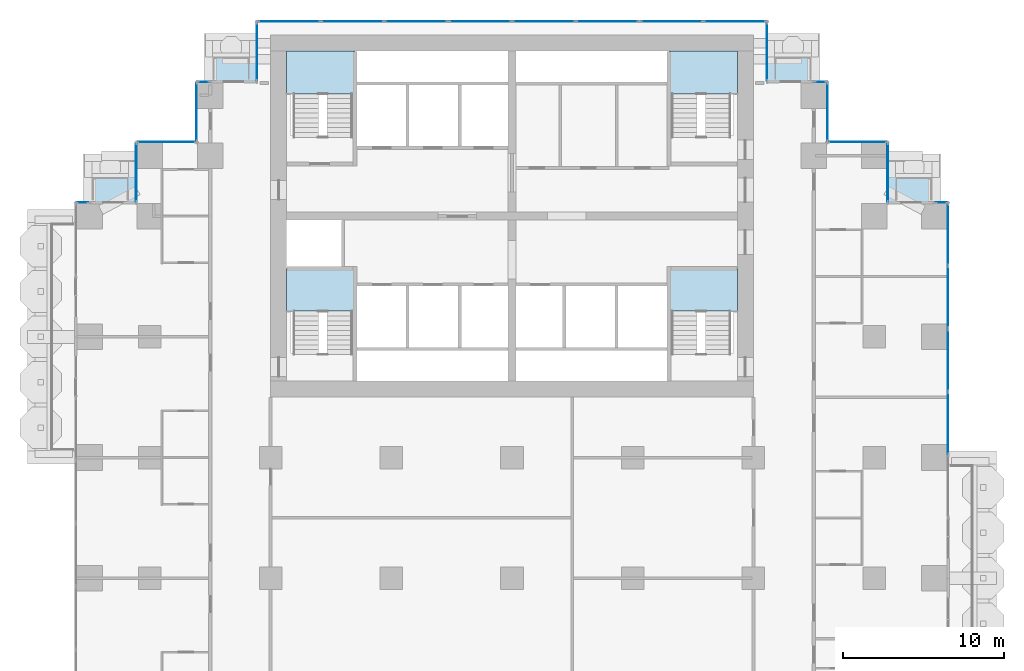
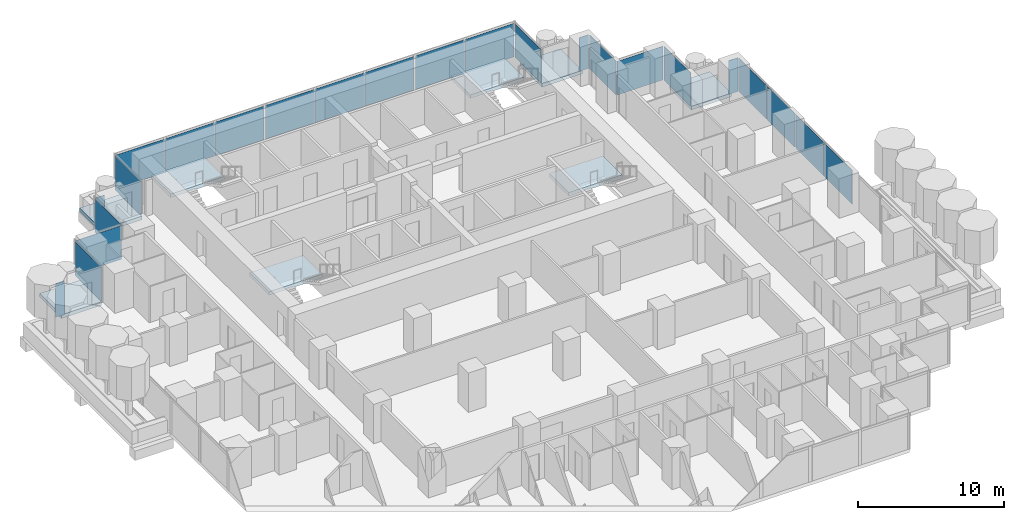
# One storey, part 8 of 17: 24 plates, 8 slabs, 21 elements without a shape of their own.
"""IFC4 building model written with IfcOpenShell, lengths in metres."""

from ifc_helpers import new_model, si_unit, direction, frame, origin, origin_2d, place, context, subcontext, project, spatial, polyline, rectangle, outline, extrude, material, layer, layer_set, type_object, element, aggregate, save


model = new_model("IFC4")

# Units and contexts
model_context = context("Model", 3, precision=1e-05, world=origin(), true_north=direction((0.0, 1.0)))
body_context = subcontext(model_context, "Body", "Model", "MODEL_VIEW")
ifc_project = project(units=[si_unit("LENGTHUNIT", "METRE"), si_unit("AREAUNIT", "SQUARE_METRE"), si_unit("VOLUMEUNIT", "CUBIC_METRE"), si_unit("PLANEANGLEUNIT", "RADIAN"), si_unit("MASSUNIT", "GRAM", prefix="KILO")], contexts=[model_context])

# Site, building, storey
site_placement = place(None, origin())
site = spatial("IfcSite", under=ifc_project, at=site_placement, CompositionType="ELEMENT")
building_placement = place(site_placement, origin())
building = spatial("IfcBuilding", under=site, at=building_placement, Name="Pilkhan Gate Tower", CompositionType="ELEMENT")
storey_placement = place(building_placement, frame((0.0, 0.0, 49.39990234375)))
storey = spatial("IfcBuildingStorey", under=building, at=storey_placement, Name="L09", CompositionType="ELEMENT", Elevation=49.39990234375)

# Slabs
ifc_material_1 = material(Name="Concrete C60/75", Category="concrete")
ifc_layer_1 = layer(ifc_material_1, 0.300048828125)
ifc_layer_set_1 = layer_set([ifc_layer_1], Name="Balcony tray slab TR300")
slab_type_1 = type_object("IfcSlabType", Name="Balcony tray slab TR300", PredefinedType="FLOOR", material=ifc_layer_set_1)
slab_1_placement = place(storey_placement, frame((0.0, 0.0, -0.2998046875)))
element("IfcSlab", 1, at=slab_1_placement, inside=storey, type_object=slab_type_1, Name="Balcony tray L09 N", PredefinedType="FLOOR", context=body_context, shape_type="SweptSolid", body=[
    extrude(outline(polyline([(59.14990234375, 90.85009765625), (59.14990234375, 93.85009765625), (55.949951171875, 93.85009765625), (55.949951171875, 90.85009765625), (59.14990234375, 90.85009765625)])), origin(), (0.0, 0.0, 1.0), 0.2998046875),
])
slab_2_placement = place(storey_placement, frame((0.0, 0.0, -0.2998046875)))
element("IfcSlab", 2, at=slab_2_placement, inside=storey, type_object=slab_type_1, Name="Balcony tray L09 N", PredefinedType="FLOOR", context=body_context, shape_type="SweptSolid", body=[
    extrude(outline(polyline([(94.050048828125, 90.85009765625), (94.050048828125, 93.85009765625), (90.85009765625, 93.85009765625), (90.85009765625, 90.85009765625), (94.050048828125, 90.85009765625)])), origin(), (0.0, 0.0, 1.0), 0.2998046875),
])
slab_3_placement = place(storey_placement, frame((0.0, 0.0, -0.2998046875)))
element("IfcSlab", 3, at=slab_3_placement, inside=storey, type_object=slab_type_1, Name="Balcony tray L09 N", PredefinedType="FLOOR", context=body_context, shape_type="SweptSolid", body=[
    extrude(outline(polyline([(51.6298828125, 83.3701171875), (51.6298828125, 86.35009765625), (48.449951171875, 86.35009765625), (48.449951171875, 83.3701171875), (51.6298828125, 83.3701171875)])), origin(), (0.0, 0.0, 1.0), 0.2998046875),
])
slab_4_placement = place(storey_placement, frame((0.0, 0.0, -0.2998046875)))
element("IfcSlab", 4, at=slab_4_placement, inside=storey, type_object=slab_type_1, Name="Balcony tray L09 N", PredefinedType="FLOOR", context=body_context, shape_type="SweptSolid", body=[
    extrude(outline(polyline([(101.550048828125, 83.3701171875), (101.550048828125, 86.35009765625), (98.3701171875, 86.35009765625), (98.3701171875, 83.3701171875), (101.550048828125, 83.3701171875)])), origin(), (0.0, 0.0, 1.0), 0.2998046875),
])

# Curtain wall, plates
ifc_material_2 = material(Name="Pale anodised aluminium, clear low-iron double glazing", Category="aluminium")
curtain_wall_type = type_object("IfcCurtainWallType", Name="Hotel unitised curtain wall CW-H", PredefinedType="USERDEFINED", material=ifc_material_2)
curtain_wall_1_placement = place(storey_placement, origin())
curtain_wall_1 = element("IfcCurtainWall", 5, at=curtain_wall_1_placement, inside=storey, type_object=curtain_wall_type, Name="Hotel unitised curtain wall CW-H L09 E", ObjectType="UNITISED CURTAIN WALL", PredefinedType="USERDEFINED")
ifc_material_3 = material(Name="Clear low-iron double glazing", Category="glass")
ifc_layer_2 = layer(ifc_material_3, 0.035888671875)
ifc_layer_set_2 = layer_set([ifc_layer_2], Name="Glass panel CW-H 36")
plate_type = type_object("IfcPlateType", Name="Glass panel CW-H 36", PredefinedType="CURTAIN_PANEL", material=ifc_layer_set_2)
plate_1_placement = place(storey_placement, frame((102.094970703125, 69.62841796875, 0.0), z_axis=(0.0, 0.0, 1.0), x_axis=(0.0, 1.0, 0.0)))
plate_1 = element("IfcPlate", 6, at=plate_1_placement, type_object=plate_type, Name="CW-H panel 2", PredefinedType="CURTAIN_PANEL", context=body_context, shape_type="SweptSolid", body=[
    extrude(rectangle(XDim=3.85400390625, YDim=0.035888671875, at=origin_2d()), origin(), (0.0, 0.0, 1.0), 2.820068359375),
])
plate_2_placement = place(storey_placement, frame((102.094970703125, 73.53125, 0.0), z_axis=(0.0, 0.0, 1.0), x_axis=(0.0, 1.0, 0.0)))
plate_2 = element("IfcPlate", 7, at=plate_2_placement, type_object=plate_type, Name="CW-H panel 3", PredefinedType="CURTAIN_PANEL", context=body_context, shape_type="SweptSolid", body=[
    extrude(rectangle(XDim=3.821533203125, YDim=0.035888671875, at=origin_2d()), origin(), (0.0, 0.0, 1.0), 2.820068359375),
])
aggregate(curtain_wall_1, [plate_1, plate_2])

curtain_wall_2_placement = place(storey_placement, origin())
curtain_wall_2 = element("IfcCurtainWall", 8, at=curtain_wall_2_placement, inside=storey, type_object=curtain_wall_type, Name="Hotel unitised curtain wall CW-H L09 E", ObjectType="UNITISED CURTAIN WALL", PredefinedType="USERDEFINED")
plate_3_placement = place(storey_placement, frame((102.094970703125, 77.482666015625, 0.0), z_axis=(0.0, 0.0, 1.0), x_axis=(0.0, 1.0, 0.0)))
plate_3 = element("IfcPlate", 9, at=plate_3_placement, type_object=plate_type, Name="CW-H panel 1", PredefinedType="CURTAIN_PANEL", context=body_context, shape_type="SweptSolid", body=[
    extrude(rectangle(XDim=3.821533203125, YDim=0.035888671875, at=origin_2d()), origin(), (0.0, 0.0, 1.0), 2.820068359375),
])
plate_4_placement = place(storey_placement, frame((102.094970703125, 81.369140625, 0.0), z_axis=(0.0, 0.0, 1.0), x_axis=(0.0, 1.0, 0.0)))
plate_4 = element("IfcPlate", 10, at=plate_4_placement, type_object=plate_type, Name="CW-H panel 2", PredefinedType="CURTAIN_PANEL", context=body_context, shape_type="SweptSolid", body=[
    extrude(rectangle(XDim=3.821533203125, YDim=0.035888671875, at=origin_2d()), origin(), (0.0, 0.0, 1.0), 2.820068359375),
])
aggregate(curtain_wall_2, [plate_3, plate_4])

# Curtain wall, plate
curtain_wall_3_placement = place(storey_placement, origin())
curtain_wall_3 = element("IfcCurtainWall", 11, at=curtain_wall_3_placement, inside=storey, type_object=curtain_wall_type, Name="Hotel unitised curtain wall CW-H L09 N", ObjectType="UNITISED CURTAIN WALL", PredefinedType="USERDEFINED")
plate_5_placement = place(storey_placement, frame((101.672607421875, 83.344970703125, 0.0), z_axis=(0.0, 0.0, 1.0), x_axis=(1.0, 0.0, 0.0)))
plate_5 = element("IfcPlate", 12, at=plate_5_placement, type_object=plate_type, Name="CW-H panel 1", PredefinedType="CURTAIN_PANEL", context=body_context, shape_type="SweptSolid", body=[
    extrude(rectangle(XDim=0.715087890625, YDim=0.035888671875, at=origin_2d()), origin(), (0.0, 0.0, 1.0), 2.820068359375),
])
aggregate(curtain_wall_3, [plate_5])

curtain_wall_4_placement = place(storey_placement, origin())
curtain_wall_4 = element("IfcCurtainWall", 13, at=curtain_wall_4_placement, inside=storey, type_object=curtain_wall_type, Name="Hotel unitised curtain wall CW-H L09 E", ObjectType="UNITISED CURTAIN WALL", PredefinedType="USERDEFINED")
plate_6_placement = place(storey_placement, frame((98.344970703125, 85.219970703125, 0.0), z_axis=(0.0, 0.0, 1.0), x_axis=(0.0, 1.0, 0.0)))
plate_6 = element("IfcPlate", 14, at=plate_6_placement, type_object=plate_type, Name="CW-H panel 1", PredefinedType="CURTAIN_PANEL", context=body_context, shape_type="SweptSolid", body=[
    extrude(rectangle(XDim=3.6201171875, YDim=0.035888671875, at=origin_2d()), origin(), (0.0, 0.0, 1.0), 2.820068359375),
])
aggregate(curtain_wall_4, [plate_6])

curtain_wall_5_placement = place(storey_placement, origin())
curtain_wall_5 = element("IfcCurtainWall", 15, at=curtain_wall_5_placement, inside=storey, type_object=curtain_wall_type, Name="Hotel unitised curtain wall CW-H L09 N", ObjectType="UNITISED CURTAIN WALL", PredefinedType="USERDEFINED")
plate_7_placement = place(storey_placement, frame((96.469970703125, 87.094970703125, 0.0), z_axis=(0.0, 0.0, 1.0), x_axis=(1.0, 0.0, 0.0)))
plate_7 = element("IfcPlate", 16, at=plate_7_placement, type_object=plate_type, Name="CW-H panel 1", PredefinedType="CURTAIN_PANEL", context=body_context, shape_type="SweptSolid", body=[
    extrude(rectangle(XDim=3.6201171875, YDim=0.035888671875, at=origin_2d()), origin(), (0.0, 0.0, 1.0), 2.820068359375),
])
aggregate(curtain_wall_5, [plate_7])

curtain_wall_6_placement = place(storey_placement, origin())
curtain_wall_6 = element("IfcCurtainWall", 17, at=curtain_wall_6_placement, inside=storey, type_object=curtain_wall_type, Name="Hotel unitised curtain wall CW-H L09 E", ObjectType="UNITISED CURTAIN WALL", PredefinedType="USERDEFINED")
plate_8_placement = place(storey_placement, frame((94.594970703125, 88.969970703125, 0.0), z_axis=(0.0, 0.0, 1.0), x_axis=(0.0, 1.0, 0.0)))
plate_8 = element("IfcPlate", 18, at=plate_8_placement, type_object=plate_type, Name="CW-H panel 1", PredefinedType="CURTAIN_PANEL", context=body_context, shape_type="SweptSolid", body=[
    extrude(rectangle(XDim=3.6201171875, YDim=0.035888671875, at=origin_2d()), origin(), (0.0, 0.0, 1.0), 2.820068359375),
])
aggregate(curtain_wall_6, [plate_8])

curtain_wall_7_placement = place(storey_placement, origin())
curtain_wall_7 = element("IfcCurtainWall", 19, at=curtain_wall_7_placement, inside=storey, type_object=curtain_wall_type, Name="Hotel unitised curtain wall CW-H L09 N", ObjectType="UNITISED CURTAIN WALL", PredefinedType="USERDEFINED")
plate_9_placement = place(storey_placement, frame((94.172607421875, 90.844970703125, 0.0), z_axis=(0.0, 0.0, 1.0), x_axis=(1.0, 0.0, 0.0)))
plate_9 = element("IfcPlate", 20, at=plate_9_placement, type_object=plate_type, Name="CW-H panel 1", PredefinedType="CURTAIN_PANEL", context=body_context, shape_type="SweptSolid", body=[
    extrude(rectangle(XDim=0.715087890625, YDim=0.035888671875, at=origin_2d()), origin(), (0.0, 0.0, 1.0), 2.820068359375),
])
aggregate(curtain_wall_7, [plate_9])

curtain_wall_8_placement = place(storey_placement, origin())
curtain_wall_8 = element("IfcCurtainWall", 21, at=curtain_wall_8_placement, inside=storey, type_object=curtain_wall_type, Name="Hotel unitised curtain wall CW-H L09 E", ObjectType="UNITISED CURTAIN WALL", PredefinedType="USERDEFINED")
plate_10_placement = place(storey_placement, frame((90.844970703125, 92.719970703125, 0.0), z_axis=(0.0, 0.0, 1.0), x_axis=(0.0, 1.0, 0.0)))
plate_10 = element("IfcPlate", 22, at=plate_10_placement, type_object=plate_type, Name="CW-H panel 1", PredefinedType="CURTAIN_PANEL", context=body_context, shape_type="SweptSolid", body=[
    extrude(rectangle(XDim=3.6201171875, YDim=0.035888671875, at=origin_2d()), origin(), (0.0, 0.0, 1.0), 2.820068359375),
])
aggregate(curtain_wall_8, [plate_10])

# Curtain wall, plates
curtain_wall_9_placement = place(storey_placement, origin())
curtain_wall_9 = element("IfcCurtainWall", 23, at=curtain_wall_9_placement, inside=storey, type_object=curtain_wall_type, Name="Hotel unitised curtain wall CW-H L09 N", ObjectType="UNITISED CURTAIN WALL", PredefinedType="USERDEFINED")
plate_11_placement = place(storey_placement, frame((61.15185546875, 94.594970703125, 0.0), z_axis=(0.0, 0.0, 1.0), x_axis=(1.0, 0.0, 0.0)))
plate_11 = element("IfcPlate", 24, at=plate_11_placement, type_object=plate_type, Name="CW-H panel 1", PredefinedType="CURTAIN_PANEL", context=body_context, shape_type="SweptSolid", body=[
    extrude(rectangle(XDim=3.86376953125, YDim=0.035888671875, at=origin_2d()), origin(), (0.0, 0.0, 1.0), 2.820068359375),
])
plate_12_placement = place(storey_placement, frame((65.096923828125, 94.594970703125, 0.0), z_axis=(0.0, 0.0, 1.0), x_axis=(1.0, 0.0, 0.0)))
plate_12 = element("IfcPlate", 25, at=plate_12_placement, type_object=plate_type, Name="CW-H panel 2", PredefinedType="CURTAIN_PANEL", context=body_context, shape_type="SweptSolid", body=[
    extrude(rectangle(XDim=3.896240234375, YDim=0.035888671875, at=origin_2d()), origin(), (0.0, 0.0, 1.0), 2.820068359375),
])
plate_13_placement = place(storey_placement, frame((69.0419921875, 94.594970703125, 0.0), z_axis=(0.0, 0.0, 1.0), x_axis=(1.0, 0.0, 0.0)))
plate_13 = element("IfcPlate", 26, at=plate_13_placement, type_object=plate_type, Name="CW-H panel 3", PredefinedType="CURTAIN_PANEL", context=body_context, shape_type="SweptSolid", body=[
    extrude(rectangle(XDim=3.86376953125, YDim=0.035888671875, at=origin_2d()), origin(), (0.0, 0.0, 1.0), 2.820068359375),
])
aggregate(curtain_wall_9, [plate_11, plate_12, plate_13])

curtain_wall_10_placement = place(storey_placement, origin())
curtain_wall_10 = element("IfcCurtainWall", 27, at=curtain_wall_10_placement, inside=storey, type_object=curtain_wall_type, Name="Hotel unitised curtain wall CW-H L09 N", ObjectType="UNITISED CURTAIN WALL", PredefinedType="USERDEFINED")
plate_14_placement = place(storey_placement, frame((73.03564453125, 94.594970703125, 0.0), z_axis=(0.0, 0.0, 1.0), x_axis=(1.0, 0.0, 0.0)))
plate_14 = element("IfcPlate", 28, at=plate_14_placement, type_object=plate_type, Name="CW-H panel 1", PredefinedType="CURTAIN_PANEL", context=body_context, shape_type="SweptSolid", body=[
    extrude(rectangle(XDim=3.86376953125, YDim=0.035888671875, at=origin_2d()), origin(), (0.0, 0.0, 1.0), 2.820068359375),
])
plate_15_placement = place(storey_placement, frame((76.980712890625, 94.594970703125, 0.0), z_axis=(0.0, 0.0, 1.0), x_axis=(1.0, 0.0, 0.0)))
plate_15 = element("IfcPlate", 29, at=plate_15_placement, type_object=plate_type, Name="CW-H panel 2", PredefinedType="CURTAIN_PANEL", context=body_context, shape_type="SweptSolid", body=[
    extrude(rectangle(XDim=3.896240234375, YDim=0.035888671875, at=origin_2d()), origin(), (0.0, 0.0, 1.0), 2.820068359375),
])
plate_16_placement = place(storey_placement, frame((80.925537109375, 94.594970703125, 0.0), z_axis=(0.0, 0.0, 1.0), x_axis=(1.0, 0.0, 0.0)))
plate_16 = element("IfcPlate", 30, at=plate_16_placement, type_object=plate_type, Name="CW-H panel 3", PredefinedType="CURTAIN_PANEL", context=body_context, shape_type="SweptSolid", body=[
    extrude(rectangle(XDim=3.86376953125, YDim=0.035888671875, at=origin_2d()), origin(), (0.0, 0.0, 1.0), 2.820068359375),
])
aggregate(curtain_wall_10, [plate_14, plate_15, plate_16])

curtain_wall_11_placement = place(storey_placement, origin())
curtain_wall_11 = element("IfcCurtainWall", 31, at=curtain_wall_11_placement, inside=storey, type_object=curtain_wall_type, Name="Hotel unitised curtain wall CW-H L09 N", ObjectType="UNITISED CURTAIN WALL", PredefinedType="USERDEFINED")
plate_17_placement = place(storey_placement, frame((84.91943359375, 94.594970703125, 0.0), z_axis=(0.0, 0.0, 1.0), x_axis=(1.0, 0.0, 0.0)))
plate_17 = element("IfcPlate", 32, at=plate_17_placement, type_object=plate_type, Name="CW-H panel 1", PredefinedType="CURTAIN_PANEL", context=body_context, shape_type="SweptSolid", body=[
    extrude(rectangle(XDim=3.86376953125, YDim=0.035888671875, at=origin_2d()), origin(), (0.0, 0.0, 1.0), 2.820068359375),
])
plate_18_placement = place(storey_placement, frame((88.84814453125, 94.594970703125, 0.0), z_axis=(0.0, 0.0, 1.0), x_axis=(1.0, 0.0, 0.0)))
plate_18 = element("IfcPlate", 33, at=plate_18_placement, type_object=plate_type, Name="CW-H panel 2", PredefinedType="CURTAIN_PANEL", context=body_context, shape_type="SweptSolid", body=[
    extrude(rectangle(XDim=3.86376953125, YDim=0.035888671875, at=origin_2d()), origin(), (0.0, 0.0, 1.0), 2.820068359375),
])
aggregate(curtain_wall_11, [plate_17, plate_18])

# Curtain wall, plate
curtain_wall_12_placement = place(storey_placement, origin())
curtain_wall_12 = element("IfcCurtainWall", 34, at=curtain_wall_12_placement, inside=storey, type_object=curtain_wall_type, Name="Hotel unitised curtain wall CW-H L09 W", ObjectType="UNITISED CURTAIN WALL", PredefinedType="USERDEFINED")
plate_19_placement = place(storey_placement, frame((59.155029296875, 92.719970703125, 0.0), z_axis=(0.0, 0.0, 1.0), x_axis=(0.0, 1.0, 0.0)))
plate_19 = element("IfcPlate", 35, at=plate_19_placement, type_object=plate_type, Name="CW-H panel 1", PredefinedType="CURTAIN_PANEL", context=body_context, shape_type="SweptSolid", body=[
    extrude(rectangle(XDim=3.6201171875, YDim=0.035888671875, at=origin_2d()), origin(), (0.0, 0.0, 1.0), 2.820068359375),
])
aggregate(curtain_wall_12, [plate_19])

curtain_wall_13_placement = place(storey_placement, origin())
curtain_wall_13 = element("IfcCurtainWall", 36, at=curtain_wall_13_placement, inside=storey, type_object=curtain_wall_type, Name="Hotel unitised curtain wall CW-H L09 N", ObjectType="UNITISED CURTAIN WALL", PredefinedType="USERDEFINED")
plate_20_placement = place(storey_placement, frame((55.827392578125, 90.844970703125, 0.0), z_axis=(0.0, 0.0, 1.0), x_axis=(1.0, 0.0, 0.0)))
plate_20 = element("IfcPlate", 37, at=plate_20_placement, type_object=plate_type, Name="CW-H panel 1", PredefinedType="CURTAIN_PANEL", context=body_context, shape_type="SweptSolid", body=[
    extrude(rectangle(XDim=0.715087890625, YDim=0.035888671875, at=origin_2d()), origin(), (0.0, 0.0, 1.0), 2.820068359375),
])
aggregate(curtain_wall_13, [plate_20])

curtain_wall_14_placement = place(storey_placement, origin())
curtain_wall_14 = element("IfcCurtainWall", 38, at=curtain_wall_14_placement, inside=storey, type_object=curtain_wall_type, Name="Hotel unitised curtain wall CW-H L09 W", ObjectType="UNITISED CURTAIN WALL", PredefinedType="USERDEFINED")
plate_21_placement = place(storey_placement, frame((55.405029296875, 88.969970703125, 0.0), z_axis=(0.0, 0.0, 1.0), x_axis=(0.0, 1.0, 0.0)))
plate_21 = element("IfcPlate", 39, at=plate_21_placement, type_object=plate_type, Name="CW-H panel 1", PredefinedType="CURTAIN_PANEL", context=body_context, shape_type="SweptSolid", body=[
    extrude(rectangle(XDim=3.6201171875, YDim=0.035888671875, at=origin_2d()), origin(), (0.0, 0.0, 1.0), 2.820068359375),
])
aggregate(curtain_wall_14, [plate_21])

curtain_wall_15_placement = place(storey_placement, origin())
curtain_wall_15 = element("IfcCurtainWall", 40, at=curtain_wall_15_placement, inside=storey, type_object=curtain_wall_type, Name="Hotel unitised curtain wall CW-H L09 N", ObjectType="UNITISED CURTAIN WALL", PredefinedType="USERDEFINED")
plate_22_placement = place(storey_placement, frame((53.530029296875, 87.094970703125, 0.0), z_axis=(0.0, 0.0, 1.0), x_axis=(1.0, 0.0, 0.0)))
plate_22 = element("IfcPlate", 41, at=plate_22_placement, type_object=plate_type, Name="CW-H panel 1", PredefinedType="CURTAIN_PANEL", context=body_context, shape_type="SweptSolid", body=[
    extrude(rectangle(XDim=3.6201171875, YDim=0.035888671875, at=origin_2d()), origin(), (0.0, 0.0, 1.0), 2.820068359375),
])
aggregate(curtain_wall_15, [plate_22])

curtain_wall_16_placement = place(storey_placement, origin())
curtain_wall_16 = element("IfcCurtainWall", 42, at=curtain_wall_16_placement, inside=storey, type_object=curtain_wall_type, Name="Hotel unitised curtain wall CW-H L09 W", ObjectType="UNITISED CURTAIN WALL", PredefinedType="USERDEFINED")
plate_23_placement = place(storey_placement, frame((51.655029296875, 85.219970703125, 0.0), z_axis=(0.0, 0.0, 1.0), x_axis=(0.0, 1.0, 0.0)))
plate_23 = element("IfcPlate", 43, at=plate_23_placement, type_object=plate_type, Name="CW-H panel 1", PredefinedType="CURTAIN_PANEL", context=body_context, shape_type="SweptSolid", body=[
    extrude(rectangle(XDim=3.6201171875, YDim=0.035888671875, at=origin_2d()), origin(), (0.0, 0.0, 1.0), 2.820068359375),
])
aggregate(curtain_wall_16, [plate_23])

curtain_wall_17_placement = place(storey_placement, origin())
curtain_wall_17 = element("IfcCurtainWall", 44, at=curtain_wall_17_placement, inside=storey, type_object=curtain_wall_type, Name="Hotel unitised curtain wall CW-H L09 N", ObjectType="UNITISED CURTAIN WALL", PredefinedType="USERDEFINED")
plate_24_placement = place(storey_placement, frame((48.327392578125, 83.344970703125, 0.0), z_axis=(0.0, 0.0, 1.0), x_axis=(1.0, 0.0, 0.0)))
plate_24 = element("IfcPlate", 45, at=plate_24_placement, type_object=plate_type, Name="CW-H panel 1", PredefinedType="CURTAIN_PANEL", context=body_context, shape_type="SweptSolid", body=[
    extrude(rectangle(XDim=0.715087890625, YDim=0.035888671875, at=origin_2d()), origin(), (0.0, 0.0, 1.0), 2.820068359375),
])
aggregate(curtain_wall_17, [plate_24])

# Stair, slab
ifc_material_4 = material(Name="Concrete C40/50 precast", Category="concrete")
stair_type_1 = type_object("IfcStairType", Name="Stair ST1 165x300", PredefinedType="HALF_TURN_STAIR", material=ifc_material_4)
stair_1_placement = place(storey_placement, origin())
stair_1 = element("IfcStair", 46, at=stair_1_placement, inside=storey, type_object=stair_type_1, Name="Stair ST1 L09", PredefinedType="HALF_TURN_STAIR")
ifc_material_5 = material(Name="Concrete C40/50", Category="concrete")
ifc_layer_3 = layer(ifc_material_5, 0.199951171875)
ifc_layer_set_3 = layer_set([ifc_layer_3], Name="Stair landing SL200")
slab_type_2 = type_object("IfcSlabType", Name="Stair landing SL200", PredefinedType="LANDING", material=ifc_layer_set_3)
slab_5_placement = place(storey_placement, frame((0.0, 0.0, 1.35009765625)))
slab_5 = element("IfcSlab", 47, at=slab_5_placement, type_object=slab_type_2, Name="ST1 landing 1", PredefinedType="LANDING", context=body_context, shape_type="SweptSolid", body=[
    extrude(outline(polyline([(89.0, 76.60009765625), (89.0, 79.25), (84.75, 79.25), (84.75, 76.60009765625), (89.0, 76.60009765625)])), origin(), (0.0, 0.0, 1.0), 0.300048828125),
])
aggregate(stair_1, [slab_5])

stair_type_2 = type_object("IfcStairType", Name="Stair ST2 165x300", PredefinedType="HALF_TURN_STAIR", material=ifc_material_4)
stair_2_placement = place(storey_placement, origin())
stair_2 = element("IfcStair", 48, at=stair_2_placement, inside=storey, type_object=stair_type_2, Name="Stair ST2 L09", PredefinedType="HALF_TURN_STAIR")
slab_6_placement = place(storey_placement, frame((0.0, 0.0, 1.35009765625)))
slab_6 = element("IfcSlab", 49, at=slab_6_placement, type_object=slab_type_2, Name="ST2 landing 1", PredefinedType="LANDING", context=body_context, shape_type="SweptSolid", body=[
    extrude(outline(polyline([(65.25, 76.60009765625), (65.25, 79.25), (61.0, 79.25), (61.0, 76.60009765625), (65.25, 76.60009765625)])), origin(), (0.0, 0.0, 1.0), 0.300048828125),
])
aggregate(stair_2, [slab_6])

stair_type_3 = type_object("IfcStairType", Name="Stair ST3 165x300", PredefinedType="HALF_TURN_STAIR", material=ifc_material_4)
stair_3_placement = place(storey_placement, origin())
stair_3 = element("IfcStair", 50, at=stair_3_placement, inside=storey, type_object=stair_type_3, Name="Stair ST3 L09", PredefinedType="HALF_TURN_STAIR")
slab_7_placement = place(storey_placement, frame((0.0, 0.0, 1.35009765625)))
slab_7 = element("IfcSlab", 51, at=slab_7_placement, type_object=slab_type_2, Name="ST3 landing 1", PredefinedType="LANDING", context=body_context, shape_type="SweptSolid", body=[
    extrude(outline(polyline([(65.25, 90.10009765625), (65.25, 92.75), (61.0, 92.75), (61.0, 90.10009765625), (65.25, 90.10009765625)])), origin(), (0.0, 0.0, 1.0), 0.300048828125),
])
aggregate(stair_3, [slab_7])

stair_type_4 = type_object("IfcStairType", Name="Stair ST4 165x300", PredefinedType="HALF_TURN_STAIR", material=ifc_material_4)
stair_4_placement = place(storey_placement, origin())
stair_4 = element("IfcStair", 52, at=stair_4_placement, inside=storey, type_object=stair_type_4, Name="Stair ST4 L09", PredefinedType="HALF_TURN_STAIR")
slab_8_placement = place(storey_placement, frame((0.0, 0.0, 1.35009765625)))
slab_8 = element("IfcSlab", 53, at=slab_8_placement, type_object=slab_type_2, Name="ST4 landing 1", PredefinedType="LANDING", context=body_context, shape_type="SweptSolid", body=[
    extrude(outline(polyline([(89.0, 90.10009765625), (89.0, 92.75), (84.75, 92.75), (84.75, 90.10009765625), (89.0, 90.10009765625)])), origin(), (0.0, 0.0, 1.0), 0.300048828125),
])
aggregate(stair_4, [slab_8])

save(model, "model.ifc")
